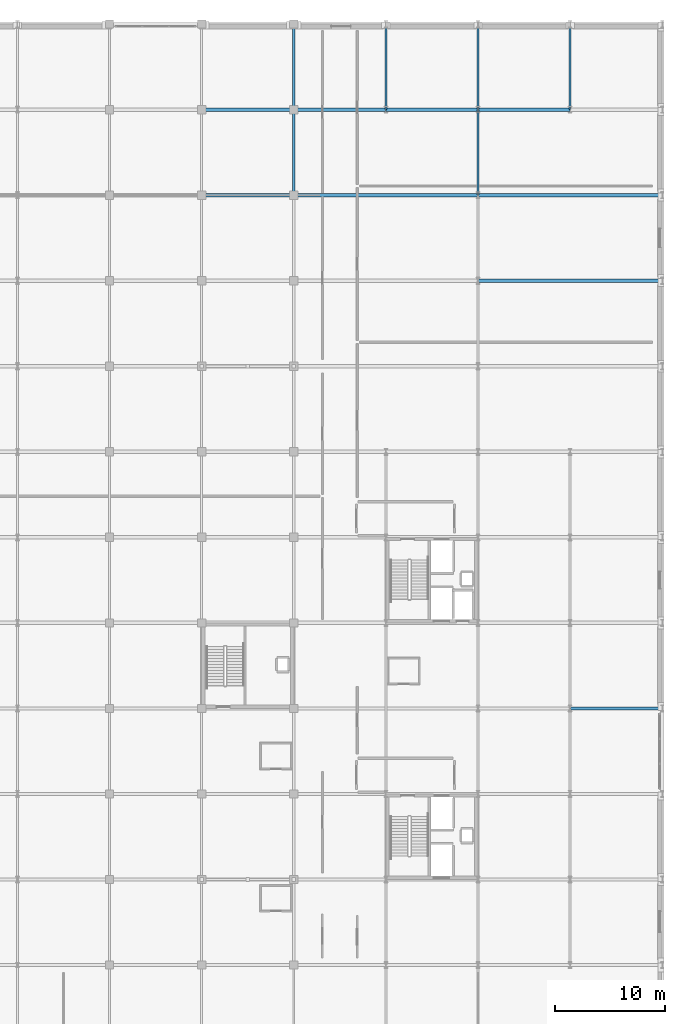
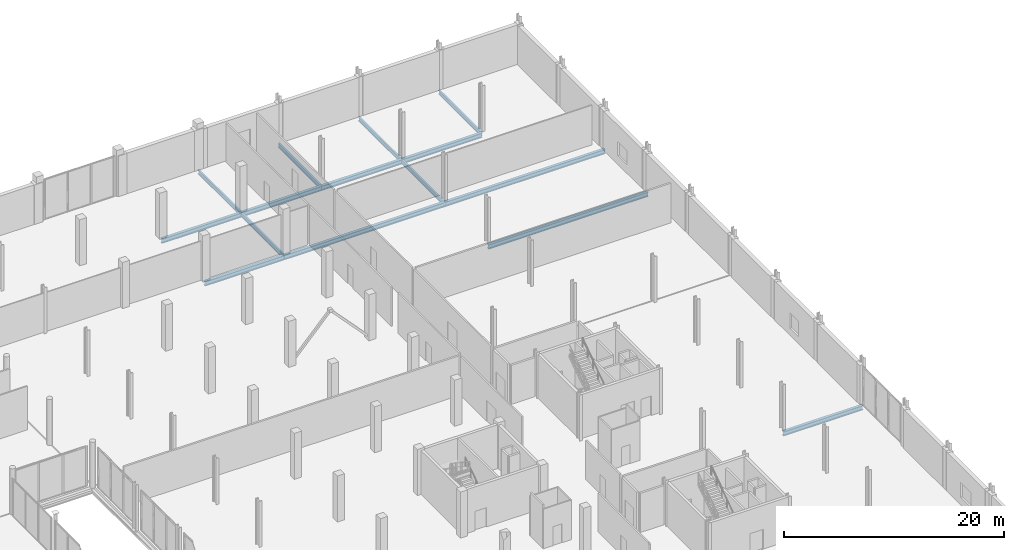
# One storey, part 63 of 105: 15 beams.
"""IFC4 building model written with IfcOpenShell, lengths in metres."""

import ifcopenshell
import ifcopenshell.guid

model = None  # the IFC model being written
_history = None  # IfcOwnerHistory: only IFC2X3 demands one
_inside = {}  # id of a spatial element -> (the spatial element, [elements in it])
_under = {}  # id of a project, library or spatial element -> (it, [spatial elements below it])
_declared = {}  # id of a project -> (the project, [libraries it declares])
_typed = {}  # id of a type object -> (the type object, [elements of that type])
_made_of = {}  # id of a material, layer set ... -> (it, [elements and type objects made of it])


def new_model(schema):
    """Start an empty IFC model of exactly this schema.

    Asked for "IFC4X3", IfcOpenShell would pick the latest addendum, in which some entities
    have other attributes; the version numbers below select the first issue.
    IFC2X3 requires an IfcOwnerHistory on every rooted entity: one is made here for all.
    """
    global model, _history
    if schema == "IFC4X3":
        model = ifcopenshell.file(schema_version=(4, 3, 0, 0))
    else:
        model = ifcopenshell.file(schema=schema)
    _inside.clear()
    _under.clear()
    _declared.clear()
    _typed.clear()
    _made_of.clear()
    _history = None
    if model.schema == "IFC2X3":
        org = make("IfcOrganization", Name="unknown")
        user = make(
            "IfcPersonAndOrganization",
            ThePerson=make("IfcPerson", FamilyName="unknown"),
            TheOrganization=org,
        )
        app = make(
            "IfcApplication",
            ApplicationDeveloper=org,
            Version="unknown",
            ApplicationFullName="unknown",
            ApplicationIdentifier="unknown",
        )
        _history = make(
            "IfcOwnerHistory",
            OwningUser=user,
            OwningApplication=app,
            ChangeAction="ADDED",
            CreationDate=0,
        )
    return model


def make(cls, **values):
    """One entity of the class cls with the attributes given. An attribute that is None is left unset."""
    return model.create_entity(
        cls, **{name: value for name, value in values.items() if value is not None}
    )


def rooted(cls, **values):
    """An entity with a GlobalId (a new one), such as an element, a storey or a relation."""
    return make(cls, GlobalId=ifcopenshell.guid.new(), OwnerHistory=_history, **values)


def si_unit(unit_type, name, prefix=None):
    """IfcSIUnit, for example si_unit("LENGTHUNIT", "METRE", prefix="MILLI")."""
    return make("IfcSIUnit", UnitType=unit_type, Prefix=prefix, Name=name)


def assignment(units):
    """IfcUnitAssignment: the units of a project."""
    return None if units is None else make("IfcUnitAssignment", Units=units)


def point(xyz):
    """IfcCartesianPoint."""
    return None if xyz is None else make("IfcCartesianPoint", Coordinates=xyz)


def direction(xyz):
    """IfcDirection."""
    return None if xyz is None else make("IfcDirection", DirectionRatios=xyz)


def frame(location, z_axis=None, x_axis=None):
    """IfcAxis2Placement3D, a coordinate frame: its origin and axes. An axis left out is left unset."""
    return make(
        "IfcAxis2Placement3D",
        Location=point(location),
        Axis=direction(z_axis),
        RefDirection=direction(x_axis),
    )


def frame_2d(location, x_axis=None):
    """IfcAxis2Placement2D, a coordinate frame in the plane: its origin and x axis."""
    return make(
        "IfcAxis2Placement2D", Location=point(location), RefDirection=direction(x_axis)
    )


def origin():
    """The frame at (0, 0, 0) with its axes left unset."""
    return frame((0.0, 0.0, 0.0))


def origin_2d():
    """The frame at (0, 0) in the plane with its x axis left unset."""
    return frame_2d((0.0, 0.0))


def place(relative_to, where):
    """IfcLocalPlacement: puts the frame where relative to a parent placement (None: the world)."""
    return make(
        "IfcLocalPlacement", PlacementRelTo=relative_to, RelativePlacement=where
    )


def context(
    kind, dimensions, precision=None, world=None, true_north=None, identifier=None
):
    """IfcGeometricRepresentationContext, for example the 3D "Model" context."""
    return make(
        "IfcGeometricRepresentationContext",
        ContextIdentifier=identifier,
        ContextType=kind,
        CoordinateSpaceDimension=dimensions,
        Precision=precision,
        WorldCoordinateSystem=world,
        TrueNorth=true_north,
    )


def subcontext(parent, identifier, kind, view, scale=None):
    """IfcGeometricRepresentationSubContext, for example "Body" below "Model"."""
    return make(
        "IfcGeometricRepresentationSubContext",
        ContextIdentifier=identifier,
        ContextType=kind,
        ParentContext=parent,
        TargetScale=scale,
        TargetView=view,
    )


def project(units=None, contexts=None):
    """IfcProject with its units and contexts."""
    return rooted(
        "IfcProject",
        Name="project",
        RepresentationContexts=contexts,
        UnitsInContext=assignment(units),
    )


def spatial(cls, under=None, at=None, **own):
    """A site, building, storey or space (cls), placed at a placement, below another one or the project."""
    s = rooted(cls, ObjectPlacement=at, **own)
    if under is not None:
        _under.setdefault(under.id(), (under, []))[1].append(s)
    return s


def profile(cls, at=None, kind="AREA", **sizes):
    """A parametric profile (cls). Its sizes go by their IFC names, for example OverallWidth=200.0."""
    return make(cls, ProfileType=kind, Position=at, **sizes)


def i_section(**sizes):
    """IfcIShapeProfileDef."""
    return profile("IfcIShapeProfileDef", **sizes)


def extrude(swept, where, along, depth):
    """IfcExtrudedAreaSolid: the profile swept, set in the frame where, extruded along a direction by depth."""
    return make(
        "IfcExtrudedAreaSolid",
        SweptArea=swept,
        Position=where,
        ExtrudedDirection=direction(along),
        Depth=depth,
    )


def shape(context_of_items, identifier, shape_type, items):
    """IfcShapeRepresentation: the items that make up one representation, for example the "Body"."""
    return make(
        "IfcShapeRepresentation",
        ContextOfItems=context_of_items,
        RepresentationIdentifier=identifier,
        RepresentationType=shape_type,
        Items=items,
    )


def material(Name=None, Category=None):
    """IfcMaterial."""
    return make("IfcMaterial", Name=Name, Category=Category)


def material_profile(
    of_material, cross_section, Name=None, Category=None, Priority=None
):
    """IfcMaterialProfile: a cross section and its material."""
    return make(
        "IfcMaterialProfile",
        Name=Name,
        Material=of_material,
        Profile=cross_section,
        Priority=Priority,
        Category=Category,
    )


def profile_set(profiles, Name=None, composite=None):
    """IfcMaterialProfileSet."""
    return make(
        "IfcMaterialProfileSet",
        Name=Name,
        MaterialProfiles=profiles,
        CompositeProfile=composite,
    )


def made_of(thing, what):
    """Note that an element or type object is made of a material, layer set ...; save() writes the relation."""
    if what is not None:
        _made_of.setdefault(what.id(), (what, []))[1].append(thing)
    return thing


def type_object(cls, material=None, **own):
    """A type object (cls), such as IfcWallType, which elements share."""
    return made_of(rooted(cls, **own), material)


def element(
    cls,
    number,
    at=None,
    inside=None,
    cuts=None,
    type_object=None,
    material=None,
    context=None,
    identifier="Body",
    shape_type=None,
    held_by="IfcProductDefinitionShape",
    body=None,
    shapes=None,
    **own,
):
    """One element of the class cls, such as IfcWall. Its Tag is "e" and its number.

    at: its placement. inside: the storey or other place that contains it. cuts: it is an
    opening in that element (IfcRelVoidsElement). A single representation is given by context,
    identifier, shape_type and body (its items); several are given by shapes. held_by: the class
    of the entity that holds the representations. save() writes the other relations.
    """
    e = rooted(cls, Tag="e%d" % number, ObjectPlacement=at, **own)
    if body is not None:
        shapes = [shape(context, identifier, shape_type, body)]
    if shapes is not None:
        e.Representation = make(held_by, Representations=shapes)
    if inside is not None:
        _inside.setdefault(inside.id(), (inside, []))[1].append(e)
    if cuts is not None:
        rooted(
            "IfcRelVoidsElement", RelatingBuildingElement=cuts, RelatedOpeningElement=e
        )
    if type_object is not None:
        _typed.setdefault(type_object.id(), (type_object, []))[1].append(e)
    return made_of(e, material)


def aggregate(whole, parts):
    """IfcRelAggregates: a whole, such as a stair, and the parts it consists of."""
    return rooted("IfcRelAggregates", RelatingObject=whole, RelatedObjects=parts)


def save(model, path):
    """Write the relations noted so far, then the file.

    IfcRelAggregates (storeys below a building ...), IfcRelContainedInSpatialStructure (elements
    in a storey), IfcRelDefinesByType, IfcRelAssociatesMaterial and IfcRelDeclares: one each for
    every whole, place, type object, material and project.
    """
    for whole, parts in _under.values():
        aggregate(whole, parts)
    for where, things in _inside.values():
        rooted(
            "IfcRelContainedInSpatialStructure",
            RelatedElements=things,
            RelatingStructure=where,
        )
    for kind, things in _typed.values():
        rooted("IfcRelDefinesByType", RelatedObjects=things, RelatingType=kind)
    for what, things in _made_of.values():
        rooted("IfcRelAssociatesMaterial", RelatedObjects=things, RelatingMaterial=what)
    for by, libraries in _declared.values():
        rooted("IfcRelDeclares", RelatingContext=by, RelatedDefinitions=libraries)
    model.write(path)


model = new_model("IFC4")

# Units and contexts
model_context = context("Model", 3, precision=1e-05, world=origin(), true_north=direction((0.0, 1.0)))
body_context = subcontext(model_context, "Body", "Model", "MODEL_VIEW")
ifc_project = project(units=[si_unit("LENGTHUNIT", "METRE"), si_unit("AREAUNIT", "SQUARE_METRE"), si_unit("VOLUMEUNIT", "CUBIC_METRE"), si_unit("PLANEANGLEUNIT", "RADIAN"), si_unit("MASSUNIT", "GRAM", prefix="KILO")], contexts=[model_context])

# Site, building, storey
site_placement = place(None, origin())
site = spatial("IfcSite", under=ifc_project, at=site_placement, CompositionType="ELEMENT")
building_placement = place(site_placement, origin())
building = spatial("IfcBuilding", under=site, at=building_placement, Name="Nabrawat Pavilion Hospital", CompositionType="ELEMENT")
storey_placement = place(building_placement, frame((0.0, 0.0, 5.10009765625)))
storey = spatial("IfcBuildingStorey", under=building, at=storey_placement, Name="L01", CompositionType="ELEMENT", Elevation=5.10009765625)

# Beams
ifc_material = material(Name="Steel S355", Category="steel")
ifc_material_profile_1 = material_profile(ifc_material, i_section(OverallWidth=0.300048828125, OverallDepth=0.5, WebThickness=0.014404296875, FlangeThickness=0.028076171875, FilletRadius=0.027099609375, at=origin_2d()), Name="HEB 500")
ifc_profile_set_1 = profile_set([ifc_material_profile_1], Name="Steel S355")
beam_type_1 = type_object("IfcBeamType", Name="Primary Floor Girder HEB 500", PredefinedType="USERDEFINED", material=ifc_profile_set_1)
beam_1_placement = place(storey_placement, frame((184.820068359375, 62.39990234375, -0.5), z_axis=(1.0, 0.0, 0.0), x_axis=(0.0, 1.0, 0.0)))
element("IfcBeam", 1, at=beam_1_placement, inside=storey, type_object=beam_type_1, Name="L01 Primary X Girder 574", ObjectType="GIRDER", PredefinedType="USERDEFINED", context=body_context, shape_type="SweptSolid", body=[
    extrude(i_section(OverallWidth=0.300048828125, OverallDepth=0.5, WebThickness=0.014404296875, FlangeThickness=0.028076171875, FilletRadius=0.027099609375, at=origin_2d()), origin(), (0.0, 0.0, 1.0), 8.35986328125),
])
beam_2_placement = place(storey_placement, frame((176.419921875, 101.39990234375, -0.5), z_axis=(1.0, 0.0, 0.0), x_axis=(0.0, 1.0, 0.0)))
element("IfcBeam", 2, at=beam_2_placement, inside=storey, type_object=beam_type_1, Name="L01 Primary X Girder 650", ObjectType="GIRDER", PredefinedType="USERDEFINED", context=body_context, shape_type="SweptSolid", body=[
    extrude(i_section(OverallWidth=0.300048828125, OverallDepth=0.5, WebThickness=0.014404296875, FlangeThickness=0.028076171875, FilletRadius=0.027099609375, at=origin_2d()), origin(), (0.0, 0.0, 1.0), 16.760009765625),
])
beam_3_placement = place(storey_placement, frame((151.219970703125, 109.199951171875, -0.5), z_axis=(1.0, 0.0, 0.0), x_axis=(0.0, 1.0, 0.0)))
element("IfcBeam", 3, at=beam_3_placement, inside=storey, type_object=beam_type_1, Name="L01 Primary X Girder 660", ObjectType="GIRDER", PredefinedType="USERDEFINED", context=body_context, shape_type="SweptSolid", body=[
    extrude(i_section(OverallWidth=0.300048828125, OverallDepth=0.5, WebThickness=0.014404296875, FlangeThickness=0.028076171875, FilletRadius=0.027099609375, at=origin_2d()), origin(), (0.0, 0.0, 1.0), 8.360107421875),
])
beam_4_placement = place(storey_placement, frame((159.6201171875, 109.199951171875, -0.5), z_axis=(1.0, 0.0, 0.0), x_axis=(0.0, 1.0, 0.0)))
element("IfcBeam", 4, at=beam_4_placement, inside=storey, type_object=beam_type_1, Name="L01 Primary X Girder 661", ObjectType="GIRDER", PredefinedType="USERDEFINED", context=body_context, shape_type="SweptSolid", body=[
    extrude(i_section(OverallWidth=0.300048828125, OverallDepth=0.5, WebThickness=0.014404296875, FlangeThickness=0.028076171875, FilletRadius=0.027099609375, at=origin_2d()), origin(), (0.0, 0.0, 1.0), 16.759765625),
])
beam_5_placement = place(storey_placement, frame((176.419921875, 109.199951171875, -0.5), z_axis=(1.0, 0.0, 0.0), x_axis=(0.0, 1.0, 0.0)))
element("IfcBeam", 5, at=beam_5_placement, inside=storey, type_object=beam_type_1, Name="L01 Primary X Girder 662", ObjectType="GIRDER", PredefinedType="USERDEFINED", context=body_context, shape_type="SweptSolid", body=[
    extrude(i_section(OverallWidth=0.300048828125, OverallDepth=0.5, WebThickness=0.014404296875, FlangeThickness=0.028076171875, FilletRadius=0.027099609375, at=origin_2d()), origin(), (0.0, 0.0, 1.0), 16.760009765625),
])
beam_6_placement = place(storey_placement, frame((151.219970703125, 117.0, -0.5), z_axis=(1.0, 0.0, 0.0), x_axis=(0.0, 1.0, 0.0)))
element("IfcBeam", 6, at=beam_6_placement, inside=storey, type_object=beam_type_1, Name="L01 Primary X Girder 681", ObjectType="GIRDER", PredefinedType="USERDEFINED", context=body_context, shape_type="SweptSolid", body=[
    extrude(i_section(OverallWidth=0.300048828125, OverallDepth=0.5, WebThickness=0.014404296875, FlangeThickness=0.028076171875, FilletRadius=0.027099609375, at=origin_2d()), origin(), (0.0, 0.0, 1.0), 8.360107421875),
])
for number, where, z_axis, x_axis, name in (
    (7, (159.6201171875, 117.0, -0.5), (1.0, 0.0, 0.0), (0.0, 1.0, 0.0), "L01 Primary X Girder 682"),
    (8, (168.02001953125, 117.0, -0.5), (1.0, 0.0, 0.0), (0.0, 1.0, 0.0), "L01 Primary X Girder 683"),
):
    element("IfcBeam", number, at=place(storey_placement, frame(where, z_axis=z_axis, x_axis=x_axis)), inside=storey, type_object=beam_type_1, Name=name, ObjectType="GIRDER", PredefinedType="USERDEFINED", context=body_context, shape_type="SweptSolid", body=[
        extrude(i_section(OverallWidth=0.300048828125, OverallDepth=0.5, WebThickness=0.014404296875, FlangeThickness=0.028076171875, FilletRadius=0.027099609375, at=origin_2d()), origin(), (0.0, 0.0, 1.0), 8.35986328125),
    ])
beam_7_placement = place(storey_placement, frame((176.419921875, 117.0, -0.5), z_axis=(1.0, 0.0, 0.0), x_axis=(0.0, 1.0, 0.0)))
element("IfcBeam", 9, at=beam_7_placement, inside=storey, type_object=beam_type_1, Name="L01 Primary X Girder 684", ObjectType="GIRDER", PredefinedType="USERDEFINED", context=body_context, shape_type="SweptSolid", body=[
    extrude(i_section(OverallWidth=0.300048828125, OverallDepth=0.5, WebThickness=0.014404296875, FlangeThickness=0.028076171875, FilletRadius=0.027099609375, at=origin_2d()), origin(), (0.0, 0.0, 1.0), 8.360107421875),
])
ifc_material_profile_2 = material_profile(ifc_material, i_section(OverallWidth=0.18994140625, OverallDepth=0.449951171875, WebThickness=0.009521484375, FlangeThickness=0.0146484375, FilletRadius=0.02099609375, at=origin_2d()), Name="IPE 450")
ifc_profile_set_2 = profile_set([ifc_material_profile_2], Name="Steel S355")
beam_type_2 = type_object("IfcBeamType", Name="Primary Y Floor Beam IPE 450", PredefinedType="BEAM", material=ifc_profile_set_2)
for number, where, z_axis, x_axis, name in (
    (10, (159.60009765625, 109.219970703125, -0.47509765625), (0.0, 1.0, 0.0), (-1.0, 0.0, 0.0), "L01 Primary Y Beam 876"),
    (11, (159.60009765625, 117.02001953125, -0.47509765625), (0.0, 1.0, 0.0), (-1.0, 0.0, 0.0), "L01 Primary Y Beam 877"),
    (12, (168.0, 117.02001953125, -0.47509765625), (0.0, 1.0, 0.0), (-1.0, 0.0, 0.0), "L01 Primary Y Beam 886"),
    (13, (176.39990234375, 109.219970703125, -0.47509765625), (0.0, 1.0, 0.0), (-1.0, 0.0, 0.0), "L01 Primary Y Beam 901"),
    (14, (176.39990234375, 117.02001953125, -0.47509765625), (0.0, 1.0, 0.0), (-1.0, 0.0, 0.0), "L01 Primary Y Beam 902"),
    (15, (184.800048828125, 117.02001953125, -0.47509765625), (0.0, 1.0, 0.0), (-1.0, 0.0, 0.0), "L01 Primary Y Beam 910"),
):
    element("IfcBeam", number, at=place(storey_placement, frame(where, z_axis=z_axis, x_axis=x_axis)), inside=storey, type_object=beam_type_2, Name=name, PredefinedType="BEAM", context=body_context, shape_type="SweptSolid", body=[
        extrude(i_section(OverallWidth=0.18994140625, OverallDepth=0.449951171875, WebThickness=0.009521484375, FlangeThickness=0.0146484375, FilletRadius=0.02099609375, at=origin_2d()), origin(), (0.0, 0.0, 1.0), 7.760009765625),
    ])

save(model, "model.ifc")
